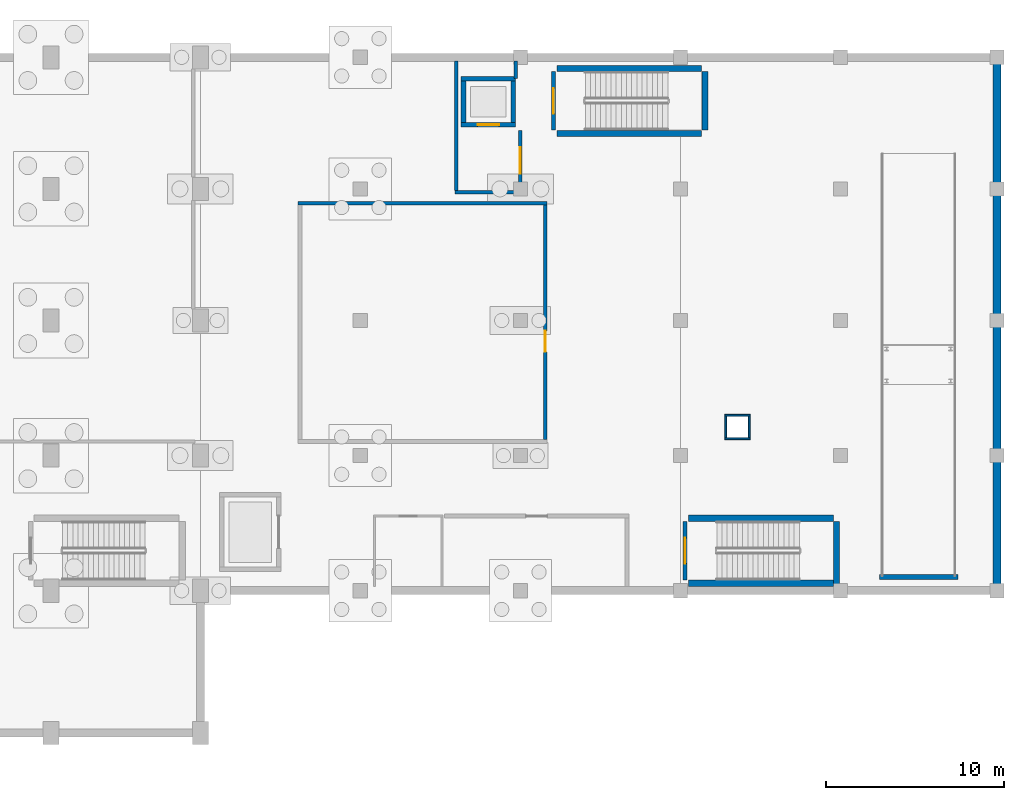
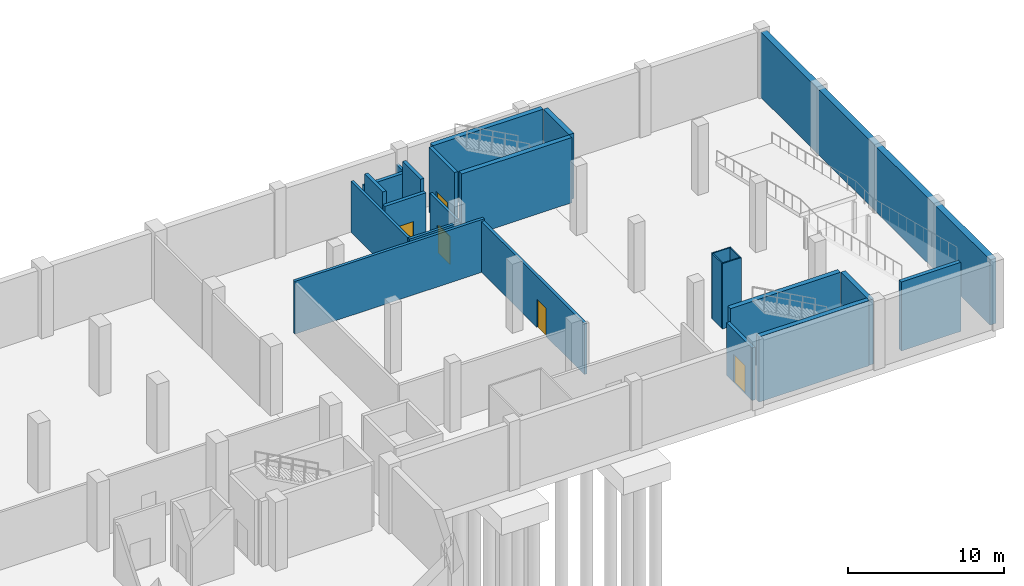
# One storey, part 14 of 20: 24 walls, 5 doors, 5 openings.
"""IFC4 building model written with IfcOpenShell, lengths in metres."""

from ifc_helpers import new_model, si_unit, direction, frame, frame_2d, origin, place, context, subcontext, project, spatial, rectangle, extrude, material, layer, layer_set, type_object, element, fill, save


model = new_model("IFC4")

# Units and contexts
model_context = context("Model", 3, precision=1e-05, world=origin(), true_north=direction((0.0, 1.0)))
body_context = subcontext(model_context, "Body", "Model", "MODEL_VIEW")
ifc_project = project(units=[si_unit("LENGTHUNIT", "METRE"), si_unit("AREAUNIT", "SQUARE_METRE"), si_unit("VOLUMEUNIT", "CUBIC_METRE"), si_unit("PLANEANGLEUNIT", "RADIAN"), si_unit("MASSUNIT", "GRAM", prefix="KILO")], contexts=[model_context])

# Site, building, storey
site_placement = place(None, origin())
site = spatial("IfcSite", under=ifc_project, at=site_placement, CompositionType="ELEMENT")
building_placement = place(site_placement, origin())
building = spatial("IfcBuilding", under=site, at=building_placement, Name="Shengluoqiao Park Theatre", CompositionType="ELEMENT")
storey_placement = place(building_placement, frame((0.0, 0.0, -5.39990234375)))
storey = spatial("IfcBuildingStorey", under=building, at=storey_placement, Name="B1", CompositionType="ELEMENT", Elevation=-5.39990234375)

# Wall
ifc_material_1 = material(Name="Concrete blockwork B06", Category="masonry")
ifc_layer_1 = layer(ifc_material_1, 0.2099609375, Name="Concrete blockwork B06")
ifc_layer_set_1 = layer_set([ifc_layer_1], Name="Concrete blockwork B06")
wall_type_1 = type_object("IfcWallType", Name="INT-WL-CMP210", PredefinedType="PARTITIONING", material=ifc_layer_set_1)
wall_1_placement = place(storey_placement, frame((117.89501953125, 105.800048828125, 0.0), z_axis=(0.0, 0.0, 1.0), x_axis=(1.0, 0.0, 0.0)))
element("IfcWall", 1, at=wall_1_placement, inside=storey, type_object=wall_type_1, Name="Chiller and Heat-Pump Plant Room Partition N", PredefinedType="PARTITIONING", context=body_context, shape_type="SweptSolid", body=[
    extrude(rectangle(XDim=14.010009765625, YDim=0.2099609375, at=frame_2d((7.0048828125, 0.0))), origin(), (0.0, 0.0, 1.0), 4.1279296875),
])

# Wall, opening, door
wall_2_placement = place(storey_placement, frame((131.800048828125, 92.510986328125, 0.0), z_axis=(0.0, 0.0, 1.0), x_axis=(0.0, 1.0, 0.0)))
wall_2 = element("IfcWall", 2, at=wall_2_placement, inside=storey, type_object=wall_type_1, Name="Chiller and Heat-Pump Plant Room Partition E", PredefinedType="PARTITIONING", context=body_context, shape_type="SweptSolid", body=[
    extrude(rectangle(XDim=13.177978515625, YDim=0.2099609375, at=frame_2d((6.5888671875, 0.0))), origin(), (0.0, 0.0, 1.0), 3.977783203125),
])
opening_1_placement = place(wall_2_placement, frame((4.9189453125, 0.0, 0.0)))
opening_1 = element("IfcOpeningElement", 3, at=opening_1_placement, cuts=wall_2, Name="Opening D-B1-008", PredefinedType="OPENING", context=body_context, shape_type="SweptSolid", body=[
    extrude(rectangle(XDim=1.179931640625, YDim=2.219970703125, at=frame_2d((0.58984375, 1.10986328125))), frame((0.0, 0.114990234375, 0.0), z_axis=(0.0, -1.0, 0.0), x_axis=(1.0, 0.0, 0.0)), (0.0, 0.0, 1.0), 0.22998046875),
])
ifc_material_2 = material(Name="Steel Q355", Category="steel")
door_type_1 = type_object("IfcDoorType", Name="INT-DR-PLT118", OperationType="NOTDEFINED", PredefinedType="DOOR", material=ifc_material_2)
door_1_placement = place(opening_1_placement, origin())
door_1 = element("IfcDoor", 4, at=door_1_placement, inside=storey, type_object=door_type_1, Name="Chiller and Heat-Pump Plant Room Door D-B1-008", OperationType="SINGLE_SWING_RIGHT", OverallHeight=2.219970703125, OverallWidth=1.179931640625, PredefinedType="DOOR", context=body_context, shape_type="SweptSolid", body=[
    extrude(rectangle(XDim=1.179931640625, YDim=2.219970703125, at=frame_2d((0.58984375, 1.10986328125))), frame((0.0, 0.02490234375, 0.0), z_axis=(0.0, -1.0, 0.0), x_axis=(1.0, 0.0, 0.0)), (0.0, 0.0, 1.0), 0.050048828125),
])
fill(opening_1, door_1)

# Walls
ifc_layer_2 = layer(ifc_material_1, 0.195068359375, Name="Concrete blockwork B06")
ifc_layer_set_2 = layer_set([ifc_layer_2], Name="Concrete blockwork B06")
wall_type_2 = type_object("IfcWallType", Name="INT-WL-FFL195", PredefinedType="PARTITIONING", material=ifc_layer_set_2)
wall_3_placement = place(storey_placement, frame((126.800048828125, 106.5048828125, 0.0), z_axis=(0.0, 0.0, 1.0), x_axis=(0.0, 1.0, 0.0)))
element("IfcWall", 5, at=wall_3_placement, inside=storey, type_object=wall_type_2, Name="B1 Firefighting Lift Lobby FF2 Fire Wall W", PredefinedType="PARTITIONING", context=body_context, shape_type="SweptSolid", body=[
    extrude(rectangle(XDim=7.275146484375, YDim=0.195068359375, at=frame_2d((3.6376953125, 0.0))), origin(), (0.0, 0.0, 1.0), 3.977783203125),
])
wall_4_placement = place(storey_placement, frame((126.7099609375, 106.39990234375, 0.0), z_axis=(0.0, 0.0, 1.0), x_axis=(1.0, 0.0, 0.0)))
element("IfcWall", 6, at=wall_4_placement, inside=storey, type_object=wall_type_2, Name="B1 Firefighting Lift Lobby FF2 Fire Wall S", PredefinedType="PARTITIONING", context=body_context, shape_type="SweptSolid", body=[
    extrude(rectangle(XDim=3.780029296875, YDim=0.195068359375, at=frame_2d((1.89013671875, 0.0))), origin(), (0.0, 0.0, 1.0), 3.977783203125),
])

# Wall, opening, door
wall_5_placement = place(storey_placement, frame((130.39990234375, 106.5048828125, 0.0), z_axis=(0.0, 0.0, 1.0), x_axis=(0.0, 1.0, 0.0)))
wall_5 = element("IfcWall", 7, at=wall_5_placement, inside=storey, type_object=wall_type_2, Name="B1 Firefighting Lift Lobby FF2 Fire Wall E", PredefinedType="PARTITIONING", context=body_context, shape_type="SweptSolid", body=[
    extrude(rectangle(XDim=3.39013671875, YDim=0.195068359375, at=frame_2d((1.695068359375, 0.0))), origin(), (0.0, 0.0, 1.0), 4.1279296875),
])
opening_2_placement = place(wall_5_placement, frame((0.945068359375, 0.0, 0.0)))
opening_2 = element("IfcOpeningElement", 8, at=opening_2_placement, cuts=wall_5, Name="Opening FD-FFL-2-B1", PredefinedType="OPENING", context=body_context, shape_type="SweptSolid", body=[
    extrude(rectangle(XDim=1.5, YDim=2.199951171875, at=frame_2d((0.75, 1.10009765625))), frame((0.0, 0.107421875, 0.0), z_axis=(0.0, -1.0, 0.0), x_axis=(1.0, 0.0, 0.0)), (0.0, 0.0, 1.0), 0.215087890625),
])
door_type_2 = type_object("IfcDoorType", Name="INT-DR-FFL150", OperationType="DOUBLE_DOOR_SINGLE_SWING", PredefinedType="DOOR", material=ifc_material_2)
door_2_placement = place(opening_2_placement, origin())
door_2 = element("IfcDoor", 9, at=door_2_placement, inside=storey, type_object=door_type_2, Name="B1 Firefighting Lift Lobby FF2 Fire Door FD-FFL-2-B1", OperationType="DOUBLE_DOOR_SINGLE_SWING", OverallHeight=2.199951171875, OverallWidth=1.5, PredefinedType="DOOR", context=body_context, shape_type="SweptSolid", body=[
    extrude(rectangle(XDim=1.5, YDim=2.199951171875, at=frame_2d((0.75, 1.10009765625))), frame((0.0, 0.02490234375, 0.0), z_axis=(0.0, -1.0, 0.0), x_axis=(1.0, 0.0, 0.0)), (0.0, 0.0, 1.0), 0.050048828125),
])
fill(opening_2, door_2)

# Walls
wall_6_placement = place(storey_placement, frame((130.139892578125, 112.820068359375, 0.0), z_axis=(0.0, 0.0, 1.0), x_axis=(0.0, 1.0, 0.0)))
element("IfcWall", 10, at=wall_6_placement, inside=storey, type_object=wall_type_2, Name="B1 Firefighting Lift Lobby FF2 Fire Wall N", PredefinedType="PARTITIONING", context=body_context, shape_type="SweptSolid", body=[
    extrude(rectangle(XDim=0.9599609375, YDim=0.195068359375, at=frame_2d((0.47998046875, 0.0))), origin(), (0.0, 0.0, 1.0), 4.1279296875),
])
ifc_material_3 = material(Name="Gypsum shaftwall", Category="gypsum")
ifc_layer_3 = layer(ifc_material_3, 0.094970703125, Name="Gypsum shaftwall")
ifc_layer_set_3 = layer_set([ifc_layer_3], Name="Gypsum shaftwall")
wall_type_3 = type_object("IfcWallType", Name="INT-WL-RSR095", PredefinedType="PARTITIONING", material=ifc_layer_set_3)
for number, where, z_axis, x_axis, name in (
    (11, (141.905029296875, 92.550048828125, 0.0), (0.0, 0.0, 1.0), (1.0, 0.0, 0.0), "B1 Service Riser Shaftwall 013"),
    (12, (141.905029296875, 93.8701171875, 0.0), (0.0, 0.0, 1.0), (1.0, 0.0, 0.0), "B1 Service Riser Shaftwall 014"),
):
    element("IfcWall", number, at=place(storey_placement, frame(where, z_axis=z_axis, x_axis=x_axis)), inside=storey, type_object=wall_type_3, Name=name, PredefinedType="PARTITIONING", context=body_context, shape_type="SweptSolid", body=[
        extrude(rectangle(XDim=1.409912109375, YDim=0.094970703125, at=frame_2d((0.705078125, 0.0))), origin(), (0.0, 0.0, 1.0), 5.099853515625),
    ])
for number, where, z_axis, x_axis, name in (
    (13, (141.949951171875, 92.60498046875, 0.0), (0.0, 0.0, 1.0), (0.0, 1.0, 0.0), "B1 Service Riser Shaftwall 015"),
    (14, (143.27001953125, 92.60498046875, 0.0), (0.0, 0.0, 1.0), (0.0, 1.0, 0.0), "B1 Service Riser Shaftwall 016"),
):
    element("IfcWall", number, at=place(storey_placement, frame(where, z_axis=z_axis, x_axis=x_axis)), inside=storey, type_object=wall_type_3, Name=name, PredefinedType="PARTITIONING", context=body_context, shape_type="SweptSolid", body=[
        extrude(rectangle(XDim=1.2099609375, YDim=0.094970703125, at=frame_2d((0.60498046875, 0.0))), origin(), (0.0, 0.0, 1.0), 5.099853515625),
    ])

# Wall, opening, door
ifc_material_4 = material(Name="Concrete C40", Category="concrete")
ifc_layer_4 = layer(ifc_material_4, 0.260009765625, Name="Concrete C40")
ifc_layer_set_4 = layer_set([ifc_layer_4], Name="Concrete C40")
wall_type_4 = type_object("IfcWallType", Name="INT-WL-SHF260", PredefinedType="STANDARD", material=ifc_layer_set_4)
wall_7_placement = place(storey_placement, frame((127.070068359375, 110.199951171875, 0.0), z_axis=(0.0, 0.0, 1.0), x_axis=(1.0, 0.0, 0.0)))
wall_7 = element("IfcWall", 15, at=wall_7_placement, inside=storey, type_object=wall_type_4, Name="B1 FF2 Lift Shaft Wall South", PredefinedType="STANDARD", context=body_context, shape_type="SweptSolid", body=[
    extrude(rectangle(XDim=3.059814453125, YDim=0.260009765625, at=frame_2d((1.52978515625, 0.0))), origin(), (0.0, 0.0, 1.0), 4.1279296875),
])
opening_3_placement = place(wall_7_placement, frame((0.919921875, 0.0, 0.0)))
opening_3 = element("IfcOpeningElement", 16, at=opening_3_placement, cuts=wall_7, Name="Opening LD-FF2-B1", PredefinedType="OPENING", context=body_context, shape_type="SweptSolid", body=[
    extrude(rectangle(XDim=1.219970703125, YDim=2.199951171875, at=frame_2d((0.60986328125, 1.10009765625))), frame((0.0, 0.139892578125, 0.0), z_axis=(0.0, -1.0, 0.0), x_axis=(1.0, 0.0, 0.0)), (0.0, 0.0, 1.0), 0.280029296875),
])
ifc_material_5 = material(Name="Stainless steel 304", Category="steel")
door_type_3 = type_object("IfcDoorType", Name="INT-DR-LD122", OperationType="SLIDING_TO_RIGHT", PredefinedType="DOOR", material=ifc_material_5)
door_3_placement = place(opening_3_placement, origin())
door_3 = element("IfcDoor", 17, at=door_3_placement, inside=storey, type_object=door_type_3, Name="FF2 Lift Landing Door LD-FF2-B1", OperationType="SLIDING_TO_RIGHT", OverallHeight=2.199951171875, OverallWidth=1.219970703125, PredefinedType="DOOR", context=body_context, shape_type="SweptSolid", body=[
    extrude(rectangle(XDim=1.219970703125, YDim=2.199951171875, at=frame_2d((0.60986328125, 1.10009765625))), frame((0.0, 0.02490234375, 0.0), z_axis=(0.0, -1.0, 0.0), x_axis=(1.0, 0.0, 0.0)), (0.0, 0.0, 1.0), 0.050048828125),
])
fill(opening_3, door_3)

# Walls
wall_8_placement = place(storey_placement, frame((127.070068359375, 112.800048828125, 0.0), z_axis=(0.0, 0.0, 1.0), x_axis=(1.0, 0.0, 0.0)))
element("IfcWall", 18, at=wall_8_placement, inside=storey, type_object=wall_type_4, Name="B1 FF2 Lift Shaft Wall North", PredefinedType="STANDARD", context=body_context, shape_type="SweptSolid", body=[
    extrude(rectangle(XDim=3.059814453125, YDim=0.260009765625, at=frame_2d((1.52978515625, 0.0))), origin(), (0.0, 0.0, 1.0), 4.1279296875),
])
for number, where, z_axis, x_axis, name in (
    (19, (127.199951171875, 110.3359375, 0.0), (0.0, 0.0, 1.0), (0.0, 1.0, 0.0), "B1 FF2 Lift Shaft Wall West"),
    (20, (130.0, 110.3359375, 0.0), (0.0, 0.0, 1.0), (0.0, 1.0, 0.0), "B1 FF2 Lift Shaft Wall East"),
):
    element("IfcWall", number, at=place(storey_placement, frame(where, z_axis=z_axis, x_axis=x_axis)), inside=storey, type_object=wall_type_4, Name=name, PredefinedType="STANDARD", context=body_context, shape_type="SweptSolid", body=[
        extrude(rectangle(XDim=2.328125, YDim=0.260009765625, at=frame_2d((1.1640625, 0.0))), origin(), (0.0, 0.0, 1.0), 5.099853515625),
    ])

# Wall, opening, door
ifc_layer_5 = layer(ifc_material_4, 0.239990234375, Name="Concrete C40")
ifc_layer_set_5 = layer_set([ifc_layer_5], Name="Concrete C40")
wall_type_5 = type_object("IfcWallType", Name="INT-WL-STW240", PredefinedType="STANDARD", material=ifc_layer_set_5)
wall_9_placement = place(storey_placement, frame((132.260009765625, 109.909912109375, 0.0), z_axis=(0.0, 0.0, 1.0), x_axis=(0.0, 1.0, 0.0)))
wall_9 = element("IfcWall", 21, at=wall_9_placement, inside=storey, type_object=wall_type_5, Name="B1 ST-06 Stairwell Fire Wall", PredefinedType="STANDARD", context=body_context, shape_type="SweptSolid", body=[
    extrude(rectangle(XDim=3.280029296875, YDim=0.239990234375, at=frame_2d((1.64013671875, 0.0))), origin(), (0.0, 0.0, 1.0), 5.099853515625),
])
opening_4_placement = place(wall_9_placement, frame((0.9150390625, 0.0, 0.0)))
opening_4 = element("IfcOpeningElement", 22, at=opening_4_placement, cuts=wall_9, Name="Opening SD-06-B1", PredefinedType="OPENING", context=body_context, shape_type="SweptSolid", body=[
    extrude(rectangle(XDim=1.449951171875, YDim=2.199951171875, at=frame_2d((0.72509765625, 1.10009765625))), frame((0.0, 0.1298828125, 0.0), z_axis=(0.0, -1.0, 0.0), x_axis=(1.0, 0.0, 0.0)), (0.0, 0.0, 1.0), 0.260009765625),
])
door_type_4 = type_object("IfcDoorType", Name="INT-DR-STW145", OperationType="DOUBLE_DOOR_SINGLE_SWING", PredefinedType="DOOR", material=ifc_material_2)
door_4_placement = place(opening_4_placement, origin())
door_4 = element("IfcDoor", 23, at=door_4_placement, inside=storey, type_object=door_type_4, Name="B1 ST-06 Escape Stair Door SD-06-B1", OperationType="DOUBLE_DOOR_SINGLE_SWING", OverallHeight=2.199951171875, OverallWidth=1.449951171875, PredefinedType="DOOR", context=body_context, shape_type="SweptSolid", body=[
    extrude(rectangle(XDim=1.449951171875, YDim=2.199951171875, at=frame_2d((0.72509765625, 1.10009765625))), frame((0.0, 0.02490234375, 0.0), z_axis=(0.0, -1.0, 0.0), x_axis=(1.0, 0.0, 0.0)), (0.0, 0.0, 1.0), 0.050048828125),
])
fill(opening_4, door_4)

wall_10_placement = place(storey_placement, frame((139.659912109375, 84.610107421875, 0.0), z_axis=(0.0, 0.0, 1.0), x_axis=(0.0, 1.0, 0.0)))
wall_10 = element("IfcWall", 24, at=wall_10_placement, inside=storey, type_object=wall_type_5, Name="B1 ST-10 Stairwell Fire Wall", PredefinedType="STANDARD", context=body_context, shape_type="SweptSolid", body=[
    extrude(rectangle(XDim=3.27978515625, YDim=0.239990234375, at=frame_2d((1.639892578125, 0.0))), origin(), (0.0, 0.0, 1.0), 4.1279296875),
])
opening_5_placement = place(wall_10_placement, frame((0.9150390625, 0.0, 0.0)))
opening_5 = element("IfcOpeningElement", 25, at=opening_5_placement, cuts=wall_10, Name="Opening SD-10-B1", PredefinedType="OPENING", context=body_context, shape_type="SweptSolid", body=[
    extrude(rectangle(XDim=1.449951171875, YDim=2.199951171875, at=frame_2d((0.72509765625, 1.10009765625))), frame((0.0, 0.1298828125, 0.0), z_axis=(0.0, -1.0, 0.0), x_axis=(1.0, 0.0, 0.0)), (0.0, 0.0, 1.0), 0.260009765625),
])
door_5_placement = place(opening_5_placement, origin())
door_5 = element("IfcDoor", 26, at=door_5_placement, inside=storey, type_object=door_type_4, Name="B1 ST-10 Escape Stair Door SD-10-B1", OperationType="DOUBLE_DOOR_SINGLE_SWING", OverallHeight=2.199951171875, OverallWidth=1.449951171875, PredefinedType="DOOR", context=body_context, shape_type="SweptSolid", body=[
    extrude(rectangle(XDim=1.449951171875, YDim=2.199951171875, at=frame_2d((0.72509765625, 1.10009765625))), frame((0.0, 0.02490234375, 0.0), z_axis=(0.0, -1.0, 0.0), x_axis=(1.0, 0.0, 0.0)), (0.0, 0.0, 1.0), 0.050048828125),
])
fill(opening_5, door_5)

# Walls
ifc_layer_6 = layer(ifc_material_4, 0.449951171875, Name="Concrete C40")
ifc_layer_set_6 = layer_set([ifc_layer_6], Name="Concrete C40")
wall_type_6 = type_object("IfcWallType", Name="STR-SW-B1RET450", PredefinedType="SHEAR", material=ifc_layer_set_6)
wall_11_placement = place(storey_placement, frame((157.199951171875, 84.300048828125, 0.0), z_axis=(0.0, 0.0, 1.0), x_axis=(0.0, 1.0, 0.0)))
element("IfcWall", 27, at=wall_11_placement, inside=storey, type_object=wall_type_6, Name="B1 Basement Retaining Wall 0004", PredefinedType="SHEAR", context=body_context, shape_type="SweptSolid", body=[
    extrude(rectangle(XDim=29.39990234375, YDim=0.449951171875, at=frame_2d((14.699951171875, 0.0))), origin(), (0.0, 0.0, 1.0), 5.099853515625),
])
ifc_material_6 = material(Name="Concrete C50", Category="concrete")
ifc_layer_7 = layer(ifc_material_6, 0.35009765625, Name="Concrete C50")
ifc_layer_set_7 = layer_set([ifc_layer_7], Name="Concrete C50")
wall_type_7 = type_object("IfcWallType", Name="STR-SW-CORE350", PredefinedType="SHEAR", material=ifc_layer_set_7)
wall_12_placement = place(storey_placement, frame((132.449951171875, 109.719970703125, 0.0), z_axis=(0.0, 0.0, 1.0), x_axis=(1.0, 0.0, 0.0)))
element("IfcWall", 28, at=wall_12_placement, inside=storey, type_object=wall_type_7, Name="B1 ST-06 Core Left Shear Wall 0106", PredefinedType="SHEAR", context=body_context, shape_type="SweptSolid", body=[
    extrude(rectangle(XDim=8.150146484375, YDim=0.35009765625, at=frame_2d((4.0751953125, 0.0))), origin(), (0.0, 0.0, 1.0), 5.099853515625),
])
wall_13_placement = place(storey_placement, frame((140.780029296875, 109.89990234375, 0.0), z_axis=(0.0, 0.0, 1.0), x_axis=(0.0, 1.0, 0.0)))
element("IfcWall", 29, at=wall_13_placement, inside=storey, type_object=wall_type_7, Name="B1 ST-06 Core Far Shear Wall 0107", PredefinedType="SHEAR", context=body_context, shape_type="SweptSolid", body=[
    extrude(rectangle(XDim=3.300048828125, YDim=0.35009765625, at=frame_2d((1.64990234375, 0.0))), origin(), (0.0, 0.0, 1.0), 5.099853515625),
])
wall_14_placement = place(storey_placement, frame((140.60009765625, 113.3798828125, 0.0), z_axis=(0.0, 0.0, 1.0), x_axis=(-1.0, 0.0, 0.0)))
element("IfcWall", 30, at=wall_14_placement, inside=storey, type_object=wall_type_7, Name="B1 ST-06 Core Right Shear Wall 0108", PredefinedType="SHEAR", context=body_context, shape_type="SweptSolid", body=[
    extrude(rectangle(XDim=8.150146484375, YDim=0.35009765625, at=frame_2d((4.0751953125, 0.0))), origin(), (0.0, 0.0, 1.0), 5.099853515625),
])
wall_15_placement = place(storey_placement, frame((139.85009765625, 84.419921875, 0.0), z_axis=(0.0, 0.0, 1.0), x_axis=(1.0, 0.0, 0.0)))
element("IfcWall", 31, at=wall_15_placement, inside=storey, type_object=wall_type_7, Name="B1 ST-10 Core Left Shear Wall 0127", PredefinedType="SHEAR", context=body_context, shape_type="SweptSolid", body=[
    extrude(rectangle(XDim=8.14990234375, YDim=0.35009765625, at=frame_2d((4.074951171875, 0.0))), origin(), (0.0, 0.0, 1.0), 5.099853515625),
])
wall_16_placement = place(storey_placement, frame((148.179931640625, 84.280029296875, 0.0), z_axis=(0.0, 0.0, 1.0), x_axis=(0.0, 1.0, 0.0)))
element("IfcWall", 32, at=wall_16_placement, inside=storey, type_object=wall_type_7, Name="B1 ST-10 Core Far Shear Wall 0128", PredefinedType="SHEAR", context=body_context, shape_type="SweptSolid", body=[
    extrude(rectangle(XDim=3.619873046875, YDim=0.35009765625, at=frame_2d((1.81005859375, 0.0))), origin(), (0.0, 0.0, 1.0), 5.099853515625),
])
wall_17_placement = place(storey_placement, frame((148.0, 88.080078125, 0.0), z_axis=(0.0, 0.0, 1.0), x_axis=(-1.0, 0.0, 0.0)))
element("IfcWall", 33, at=wall_17_placement, inside=storey, type_object=wall_type_7, Name="B1 ST-10 Core Right Shear Wall 0129", PredefinedType="SHEAR", context=body_context, shape_type="SweptSolid", body=[
    extrude(rectangle(XDim=8.14990234375, YDim=0.35009765625, at=frame_2d((4.074951171875, 0.0))), origin(), (0.0, 0.0, 1.0), 5.099853515625),
])
ifc_layer_8 = layer(ifc_material_4, 0.2900390625, Name="Concrete C40")
ifc_layer_set_8 = layer_set([ifc_layer_8], Name="Concrete C40")
wall_type_8 = type_object("IfcWallType", Name="STR-SW-PIT290", PredefinedType="SHEAR", material=ifc_layer_set_8)
wall_18_placement = place(storey_placement, frame((150.60009765625, 84.780029296875, 0.0), z_axis=(0.0, 0.0, 1.0), x_axis=(1.0, 0.0, 0.0)))
element("IfcWall", 34, at=wall_18_placement, inside=storey, type_object=wall_type_8, Name="Vehicle Ramp Top Threshold Wall", PredefinedType="SHEAR", context=body_context, shape_type="SweptSolid", body=[
    extrude(rectangle(XDim=4.39990234375, YDim=0.2900390625, at=frame_2d((2.199951171875, 0.0))), origin(), (0.0, 0.0, 1.0), 5.39990234375),
])

save(model, "model.ifc")
